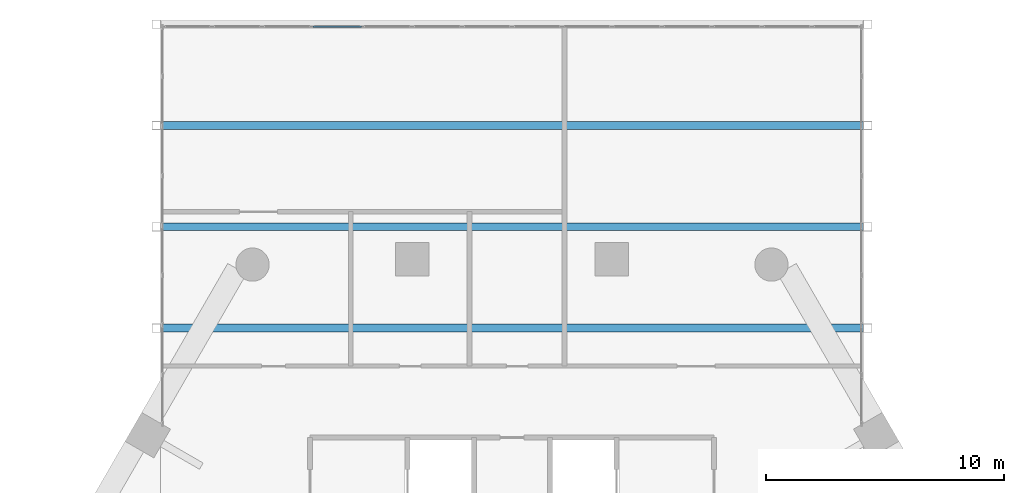
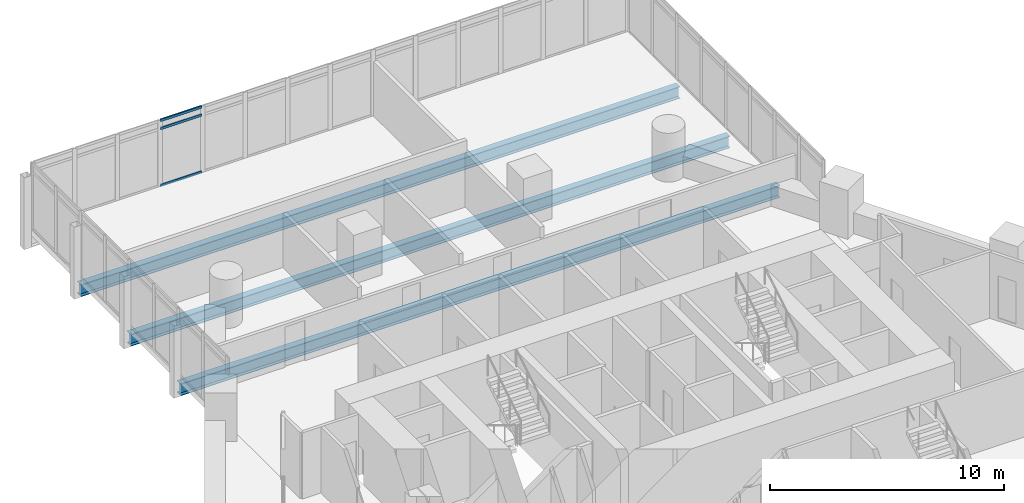
# One storey, part 14 of 28: 3 beams, 3 members, 1 element without a shape of its own.
"""IFC4 building model written with IfcOpenShell, lengths in metres."""

from ifc_helpers import new_model, si_unit, direction, frame, origin, origin_2d, place, context, subcontext, project, spatial, hollow_rectangle, i_section, extrude, material, material_profile, profile_set, type_object, element, aggregate, save


model = new_model("IFC4")

# Units and contexts
model_context = context("Model", 3, precision=1e-05, world=origin(), true_north=direction((0.0, 1.0)))
body_context = subcontext(model_context, "Body", "Model", "MODEL_VIEW")
ifc_project = project(units=[si_unit("LENGTHUNIT", "METRE"), si_unit("AREAUNIT", "SQUARE_METRE"), si_unit("VOLUMEUNIT", "CUBIC_METRE"), si_unit("PLANEANGLEUNIT", "RADIAN"), si_unit("MASSUNIT", "GRAM", prefix="KILO")], contexts=[model_context])

# Site, building, storey
site_placement = place(None, origin())
site = spatial("IfcSite", under=ifc_project, at=site_placement, CompositionType="ELEMENT")
building_placement = place(site_placement, origin())
building = spatial("IfcBuilding", under=site, at=building_placement, Name="Ostrander Bayou Hotel Tower", CompositionType="ELEMENT")
storey_placement = place(building_placement, frame((0.0, 0.0, 73.0)))
storey = spatial("IfcBuildingStorey", under=building, at=storey_placement, Name="L18", CompositionType="ELEMENT", Elevation=73.0)

# Curtain wall, members
ifc_material_1 = material(Name="Aluminium and clear glass", Category="aluminium")
curtain_wall_type = type_object("IfcCurtainWallType", Name="CW-BAR glazed wall", PredefinedType="NOTDEFINED", material=ifc_material_1)
curtain_wall_placement = place(storey_placement, origin())
curtain_wall = element("IfcCurtainWall", 1, at=curtain_wall_placement, inside=storey, type_object=curtain_wall_type, Name="CW-BAR L18:SB1N:T", PredefinedType="NOTDEFINED")
ifc_material_2 = material(Name="Aluminium", Category="aluminium")
ifc_material_profile_1 = material_profile(ifc_material_2, hollow_rectangle(XDim=0.06005859375, YDim=0.1298828125, WallThickness=0.00390625, at=origin_2d()))
ifc_profile_set_1 = profile_set([ifc_material_profile_1], Name="Aluminium")
member_type = type_object("IfcMemberType", Name="CW-BR transom 60 x 130 mm", PredefinedType="USERDEFINED", material=ifc_profile_set_1)
member_1_placement = place(storey_placement, frame((-8.376953125, 30.88623046875, 0.030029296875), z_axis=(1.0, 0.0, 0.0), x_axis=(0.0, 1.0, 0.0)))
member_1 = element("IfcMember", 2, at=member_1_placement, type_object=member_type, Name="CW-BAR transom 4.1", ObjectType="TRANSOM", PredefinedType="USERDEFINED", context=body_context, shape_type="SweptSolid", body=[
    extrude(hollow_rectangle(XDim=0.06005859375, YDim=0.1298828125, WallThickness=0.00390625, at=origin_2d()), origin(), (0.0, 0.0, 1.0), 2.041748046875),
])
member_2_placement = place(storey_placement, frame((-8.376953125, 30.88623046875, 3.0), z_axis=(1.0, 0.0, 0.0), x_axis=(0.0, 1.0, 0.0)))
member_2 = element("IfcMember", 3, at=member_2_placement, type_object=member_type, Name="CW-BAR transom 4.2", ObjectType="TRANSOM", PredefinedType="USERDEFINED", context=body_context, shape_type="SweptSolid", body=[
    extrude(hollow_rectangle(XDim=0.06005859375, YDim=0.1298828125, WallThickness=0.00390625, at=origin_2d()), origin(), (0.0, 0.0, 1.0), 2.041748046875),
])
member_3_placement = place(storey_placement, frame((-8.376953125, 30.88623046875, 3.419921875), z_axis=(1.0, 0.0, 0.0), x_axis=(0.0, 1.0, 0.0)))
member_3 = element("IfcMember", 4, at=member_3_placement, type_object=member_type, Name="CW-BAR transom 4.3", ObjectType="TRANSOM", PredefinedType="USERDEFINED", context=body_context, shape_type="SweptSolid", body=[
    extrude(hollow_rectangle(XDim=0.06005859375, YDim=0.1298828125, WallThickness=0.00390625, at=origin_2d()), origin(), (0.0, 0.0, 1.0), 2.041748046875),
])
aggregate(curtain_wall, [member_1, member_2, member_3])

# Beams
ifc_material_3 = material(Name="Steel ASTM A992", Category="steel")
ifc_material_profile_2 = material_profile(ifc_material_3, i_section(OverallWidth=0.32763671875, OverallDepth=0.621826171875, WebThickness=0.015380859375, FlangeThickness=0.0244140625, at=origin_2d()))
ifc_profile_set_2 = profile_set([ifc_material_profile_2], Name="Steel ASTM A992")
beam_type = type_object("IfcBeamType", Name="TF1 bar floor beam W24x131", PredefinedType="BEAM", material=ifc_profile_set_2)
for number, where, z_axis, x_axis, name in (
    (5, (-14.787109375, 26.723876953125, -0.61083984375), (1.0, 0.0, 0.0), (0.0, 1.0, 0.0), "TF1 SB1W L3-2"),
    (6, (-14.787109375, 22.46142578125, -0.61083984375), (1.0, 0.0, 0.0), (0.0, 1.0, 0.0), "TF1 SB1W L3-3"),
    (7, (-14.787109375, 18.198974609375, -0.61083984375), (1.0, 0.0, 0.0), (0.0, 1.0, 0.0), "TF1 SB1W L3-4"),
):
    element("IfcBeam", number, at=place(storey_placement, frame(where, z_axis=z_axis, x_axis=x_axis)), inside=storey, type_object=beam_type, Name=name, PredefinedType="BEAM", context=body_context, shape_type="SweptSolid", body=[
        extrude(i_section(OverallWidth=0.32763671875, OverallDepth=0.621826171875, WebThickness=0.015380859375, FlangeThickness=0.0244140625, at=origin_2d()), origin(), (0.0, 0.0, 1.0), 29.57421875),
    ])

save(model, "model.ifc")
